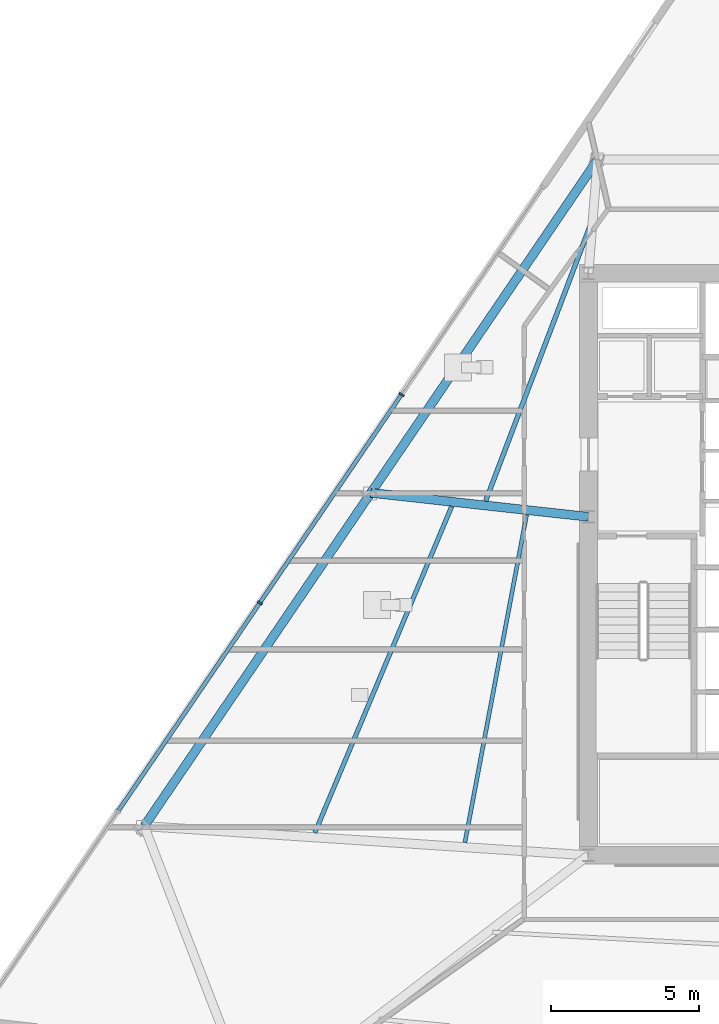
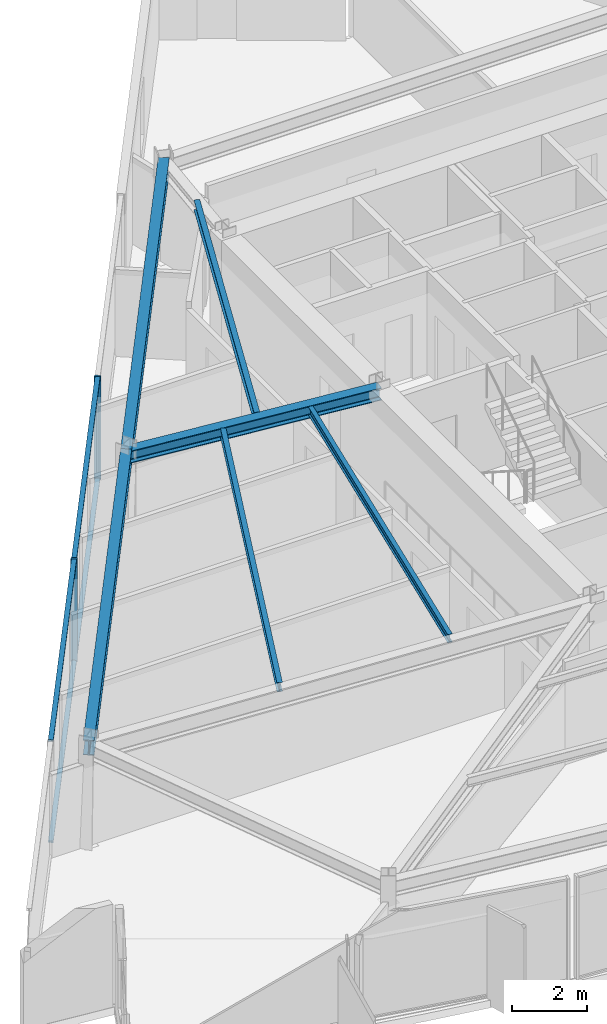
# One storey, part 3 of 15: 6 beams, 6 members, 1 element without a shape of its own.
"""IFC4 building model written with IfcOpenShell, lengths in metres."""

from ifc_helpers import new_model, si_unit, direction, frame, origin, origin_2d, place, context, subcontext, project, spatial, rectangle, i_section, extrude, material, material_profile, profile_set, type_object, element, aggregate, save


model = new_model("IFC4")

# Units and contexts
model_context = context("Model", 3, precision=1e-05, world=origin(), true_north=direction((0.0, 1.0)))
body_context = subcontext(model_context, "Body", "Model", "MODEL_VIEW")
ifc_project = project(units=[si_unit("LENGTHUNIT", "METRE"), si_unit("AREAUNIT", "SQUARE_METRE"), si_unit("VOLUMEUNIT", "CUBIC_METRE"), si_unit("PLANEANGLEUNIT", "RADIAN"), si_unit("MASSUNIT", "GRAM", prefix="KILO")], contexts=[model_context])

# Site, building, storey
site_placement = place(None, origin())
site = spatial("IfcSite", under=ifc_project, at=site_placement, CompositionType="ELEMENT")
building_placement = place(site_placement, origin())
building = spatial("IfcBuilding", under=site, at=building_placement, Name="Savorim Split Tower", CompositionType="ELEMENT")
storey_placement = place(building_placement, frame((0.0, 0.0, 93.300048828125)))
storey = spatial("IfcBuildingStorey", under=building, at=storey_placement, Name="L24", CompositionType="ELEMENT", Elevation=93.300048828125)

# Beams
ifc_material_1 = material(Name="Steel S355", Category="steel")
ifc_material_profile_1 = material_profile(ifc_material_1, i_section(OverallWidth=0.135009765625, OverallDepth=0.27001953125, WebThickness=0.006591796875, FlangeThickness=0.01025390625, FilletRadius=0.014892578125, at=origin_2d()), Name="IPE 270")
ifc_profile_set_1 = profile_set([ifc_material_profile_1], Name="Steel S355")
beam_type_1 = type_object("IfcBeamType", Name="BM-JST-IPE270", PredefinedType="JOIST", material=ifc_profile_set_1)
beam_1_placement = place(storey_placement, frame((-9.7802734375, 2.068603515625, 3.21484375), z_axis=(-0.185078688872, -0.982723704265, 0.0), x_axis=(0.982723704265, -0.185078688872, 0.0)))
element("IfcBeam", 1, at=beam_1_placement, inside=storey, type_object=beam_type_1, Name="L24 Secondary Floor Joist JS-11", PredefinedType="JOIST", context=body_context, shape_type="SweptSolid", body=[
    extrude(i_section(OverallWidth=0.135009765625, OverallDepth=0.27001953125, WebThickness=0.006591796875, FlangeThickness=0.01025390625, FilletRadius=0.014892578125, at=origin_2d()), origin(), (0.0, 0.0, 1.0), 11.229736328125),
])
ifc_material_profile_2 = material_profile(ifc_material_1, i_section(OverallWidth=0.14990234375, OverallDepth=0.300048828125, WebThickness=0.007080078125, FlangeThickness=0.0107421875, FilletRadius=0.014892578125, at=origin_2d()), Name="IPE 300")
ifc_profile_set_2 = profile_set([ifc_material_profile_2], Name="Steel S355")
beam_type_2 = type_object("IfcBeamType", Name="BM-JST-IPE300", PredefinedType="JOIST", material=ifc_profile_set_2)
beam_2_placement = place(storey_placement, frame((-12.302734375, 2.352294921875, 3.199951171875), z_axis=(-0.386650266985, -0.922226420702, 0.0), x_axis=(0.922226420702, -0.386650266985, 0.0)))
element("IfcBeam", 2, at=beam_2_placement, inside=storey, type_object=beam_type_2, Name="L24 Secondary Floor Joist JS-10", PredefinedType="JOIST", context=body_context, shape_type="SweptSolid", body=[
    extrude(i_section(OverallWidth=0.14990234375, OverallDepth=0.300048828125, WebThickness=0.007080078125, FlangeThickness=0.0107421875, FilletRadius=0.014892578125, at=origin_2d()), origin(), (0.0, 0.0, 1.0), 11.92138671875),
])
ifc_material_profile_3 = material_profile(ifc_material_1, i_section(OverallWidth=0.159912109375, OverallDepth=0.330078125, WebThickness=0.007568359375, FlangeThickness=0.011474609375, FilletRadius=0.01806640625, at=origin_2d()), Name="IPE 330")
ifc_profile_set_3 = profile_set([ifc_material_profile_3], Name="Steel S355")
beam_type_3 = type_object("IfcBeamType", Name="BM-JST-IPE330", PredefinedType="JOIST", material=ifc_profile_set_3)
beam_3_placement = place(storey_placement, frame((-7.608154296875, 11.8876953125, 3.18505859375), z_axis=(-0.354966927146, -0.934878858801, 0.0), x_axis=(0.934878858801, -0.354966927146, 0.0)))
element("IfcBeam", 3, at=beam_3_placement, inside=storey, type_object=beam_type_3, Name="L24 Secondary Floor Joist JS-09", PredefinedType="JOIST", context=body_context, shape_type="SweptSolid", body=[
    extrude(i_section(OverallWidth=0.159912109375, OverallDepth=0.330078125, WebThickness=0.007568359375, FlangeThickness=0.011474609375, FilletRadius=0.01806640625, at=origin_2d()), origin(), (0.0, 0.0, 1.0), 10.00244140625),
])
ifc_material_profile_4 = material_profile(ifc_material_1, i_section(OverallWidth=0.300048828125, OverallDepth=0.39990234375, WebThickness=0.013427734375, FlangeThickness=0.02392578125, FilletRadius=0.027099609375, at=origin_2d()), Name="HEB 400")
ifc_profile_set_4 = profile_set([ifc_material_profile_4], Name="Steel S355")
beam_type_4 = type_object("IfcBeamType", Name="BM-PRI-HEB400", PredefinedType="BEAM", material=ifc_profile_set_4)
beam_4_placement = place(storey_placement, frame((-15.024169921875, 2.80615234375, 3.14990234375), z_axis=(0.993997151613, -0.109405953154, 0.0), x_axis=(0.109405953154, 0.993997151613, 0.0)))
element("IfcBeam", 4, at=beam_4_placement, inside=storey, type_object=beam_type_4, Name="L24 Primary Floor Girder RG-09", PredefinedType="BEAM", context=body_context, shape_type="SweptSolid", body=[
    extrude(i_section(OverallWidth=0.300048828125, OverallDepth=0.39990234375, WebThickness=0.013427734375, FlangeThickness=0.02392578125, FilletRadius=0.027099609375, at=origin_2d()), origin(), (0.0, 0.0, 1.0), 7.368408203125),
])
ifc_material_profile_5 = material_profile(ifc_material_1, i_section(OverallWidth=0.300048828125, OverallDepth=0.489990234375, WebThickness=0.011962890625, FlangeThickness=0.02294921875, FilletRadius=0.027099609375, at=origin_2d()), Name="HEA 500")
ifc_profile_set_5 = profile_set([ifc_material_profile_5], Name="Steel S355")
beam_type_5 = type_object("IfcBeamType", Name="BM-SPN-HEA500", PredefinedType="SPANDREL", material=ifc_profile_set_5)
for number, where, z_axis, x_axis, name in (
    (5, (-7.390380859375, 14.027587890625, 3.10498046875), (-0.562471889602, -0.826816408526, 0.0), (0.826816408526, -0.562471889602, 0.0), "L24 Perimeter Spandrel Beam 8"),
    (6, (-15.024169921875, 2.80615234375, 3.10498046875), (-0.562471889602, -0.826816408526, 0.0), (0.826816408526, -0.562471889602, 0.0), "L24 Perimeter Spandrel Beam 9"),
):
    element("IfcBeam", number, at=place(storey_placement, frame(where, z_axis=z_axis, x_axis=x_axis)), inside=storey, type_object=beam_type_5, Name=name, PredefinedType="SPANDREL", context=body_context, shape_type="SweptSolid", body=[
        extrude(i_section(OverallWidth=0.300048828125, OverallDepth=0.489990234375, WebThickness=0.011962890625, FlangeThickness=0.02294921875, FilletRadius=0.027099609375, at=origin_2d()), origin(), (0.0, 0.0, 1.0), 13.57177734375),
    ])

# Curtain wall, members
ifc_material_2 = material(Name="Dark Ceramic-Fritted Insulated Glass", Category="glass")
curtain_wall_type = type_object("IfcCurtainWallType", Name="CW-TWR-FRIT-A", PredefinedType="NOTDEFINED", material=ifc_material_2)
curtain_wall_placement = place(storey_placement, origin())
curtain_wall = element("IfcCurtainWall", 7, at=curtain_wall_placement, inside=storey, type_object=curtain_wall_type, Name="L24 Curtain Wall CW-L24-WEST", PredefinedType="NOTDEFINED")
ifc_material_3 = material(Name="Charcoal Anodised Aluminium", Category="aluminium")
ifc_material_profile_6 = material_profile(ifc_material_3, rectangle(XDim=0.179931640625, YDim=0.06494140625, at=origin_2d()), Name="ALU-M 180x65")
ifc_profile_set_6 = profile_set([ifc_material_profile_6], Name="Charcoal Anodised Aluminium")
member_type_1 = type_object("IfcMemberType", Name="CWM-180x65", PredefinedType="MULLION", material=ifc_profile_set_6)
member_1_placement = place(storey_placement, frame((-13.9912109375, 6.1181640625, 0.0), z_axis=(0.0, 0.0, 1.0), x_axis=(0.826819383915, -0.562467515846, 0.0)))
member_1 = element("IfcMember", 8, at=member_1_placement, type_object=member_type_1, Name="CW-02 mullion 2", PredefinedType="MULLION", context=body_context, shape_type="SweptSolid", body=[
    extrude(rectangle(XDim=0.179931640625, YDim=0.06494140625, at=origin_2d()), origin(), (0.0, 0.0, 1.0), 3.349853515625),
])
member_2_placement = place(storey_placement, frame((-18.76513671875, -0.899658203125, 0.0), z_axis=(0.0, 0.0, 1.0), x_axis=(0.826819383915, -0.562467515846, 0.0)))
member_2 = element("IfcMember", 9, at=member_2_placement, type_object=member_type_1, Name="CW-02 mullion 3", PredefinedType="MULLION", context=body_context, shape_type="SweptSolid", body=[
    extrude(rectangle(XDim=0.179931640625, YDim=0.06494140625, at=origin_2d()), origin(), (0.0, 0.0, 1.0), 3.349853515625),
])
ifc_material_profile_7 = material_profile(ifc_material_3, rectangle(XDim=0.139892578125, YDim=0.054931640625, at=origin_2d()), Name="ALU-T 140x55")
ifc_profile_set_7 = profile_set([ifc_material_profile_7], Name="Charcoal Anodised Aluminium")
member_type_2 = type_object("IfcMemberType", Name="CWT-140x55", PredefinedType="USERDEFINED", material=ifc_profile_set_7)
member_3_placement = place(storey_placement, frame((-14.009521484375, 6.09130859375, 0.02734375), z_axis=(-0.562468576469, -0.826818662395, 0.0), x_axis=(0.826818662395, -0.562468576469, 0.0)))
member_3 = element("IfcMember", 10, at=member_3_placement, type_object=member_type_2, Name="CW-02 transom 2.1", ObjectType="TRANSOM", PredefinedType="USERDEFINED", context=body_context, shape_type="SweptSolid", body=[
    extrude(rectangle(XDim=0.139892578125, YDim=0.054931640625, at=origin_2d()), origin(), (0.0, 0.0, 1.0), 8.4228515625),
])
member_4_placement = place(storey_placement, frame((-14.009521484375, 6.09130859375, 3.322509765625), z_axis=(-0.562468576469, -0.826818662395, 0.0), x_axis=(0.826818662395, -0.562468576469, 0.0)))
member_4 = element("IfcMember", 11, at=member_4_placement, type_object=member_type_2, Name="CW-02 transom 2.2", ObjectType="TRANSOM", PredefinedType="USERDEFINED", context=body_context, shape_type="SweptSolid", body=[
    extrude(rectangle(XDim=0.139892578125, YDim=0.054931640625, at=origin_2d()), origin(), (0.0, 0.0, 1.0), 8.4228515625),
])
member_5_placement = place(storey_placement, frame((-18.783447265625, -0.926513671875, 0.02734375), z_axis=(-0.562482056819, -0.826809491816, 0.0), x_axis=(0.826809491816, -0.562482056819, 0.0)))
member_5 = element("IfcMember", 12, at=member_5_placement, type_object=member_type_2, Name="CW-02 transom 3.1", ObjectType="TRANSOM", PredefinedType="USERDEFINED", context=body_context, shape_type="SweptSolid", body=[
    extrude(rectangle(XDim=0.139892578125, YDim=0.054931640625, at=origin_2d()), origin(), (0.0, 0.0, 1.0), 8.422607421875),
])
member_6_placement = place(storey_placement, frame((-18.783447265625, -0.926513671875, 3.322509765625), z_axis=(-0.562482056819, -0.826809491816, 0.0), x_axis=(0.826809491816, -0.562482056819, 0.0)))
member_6 = element("IfcMember", 13, at=member_6_placement, type_object=member_type_2, Name="CW-02 transom 3.2", ObjectType="TRANSOM", PredefinedType="USERDEFINED", context=body_context, shape_type="SweptSolid", body=[
    extrude(rectangle(XDim=0.139892578125, YDim=0.054931640625, at=origin_2d()), origin(), (0.0, 0.0, 1.0), 8.422607421875),
])
aggregate(curtain_wall, [member_1, member_2, member_3, member_4, member_5, member_6])

save(model, "model.ifc")
